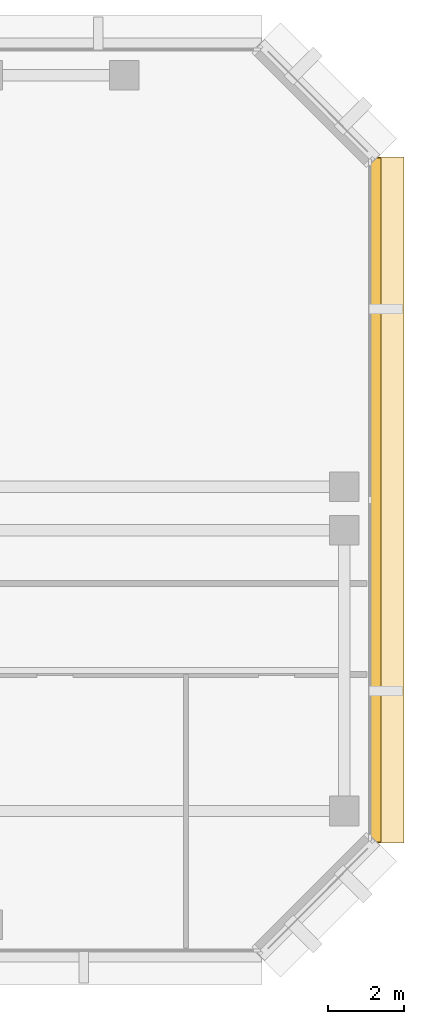
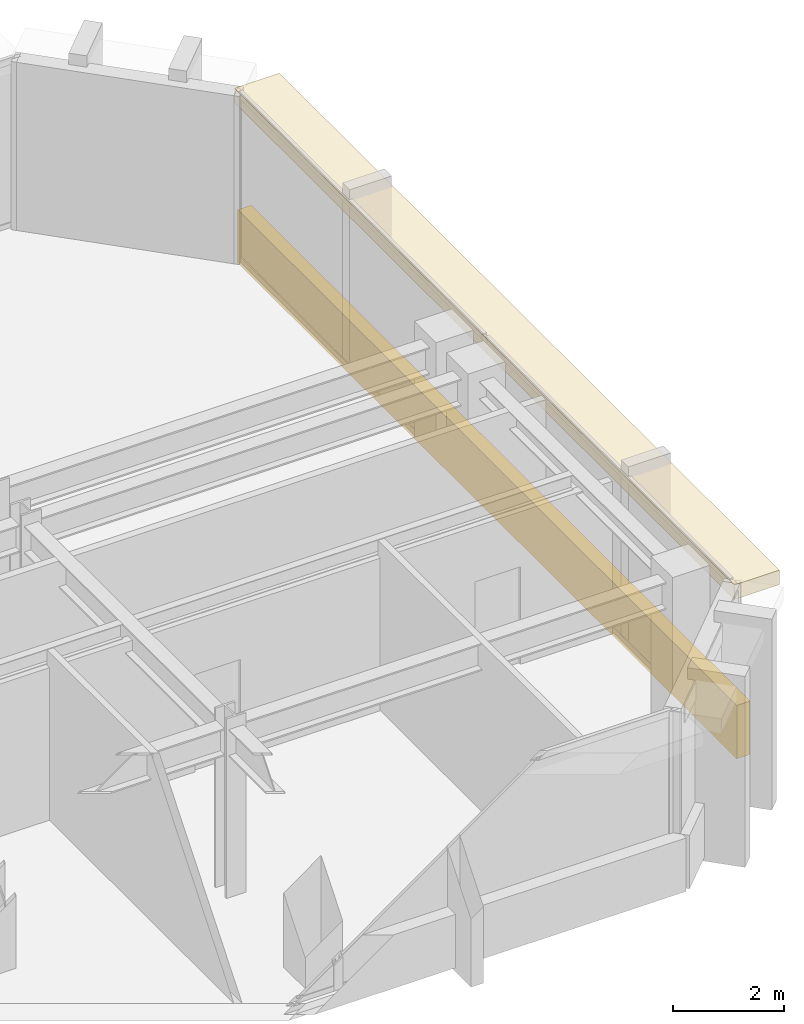
# One storey, part 10 of 12: 2 coverings.
"""IFC4 building model written with IfcOpenShell, lengths in metres."""

from ifc_helpers import new_model, si_unit, direction, frame, origin, origin_2d, place, context, subcontext, project, spatial, rectangle, extrude, material, layer, layer_set, type_object, element, save


model = new_model("IFC4")

# Units and contexts
model_context = context("Model", 3, precision=1e-05, world=origin(), true_north=direction((0.0, 1.0)))
body_context = subcontext(model_context, "Body", "Model", "MODEL_VIEW")
ifc_project = project(units=[si_unit("LENGTHUNIT", "METRE"), si_unit("AREAUNIT", "SQUARE_METRE"), si_unit("VOLUMEUNIT", "CUBIC_METRE"), si_unit("PLANEANGLEUNIT", "RADIAN"), si_unit("MASSUNIT", "GRAM", prefix="KILO")], contexts=[model_context])

# Site, building, storey
site_placement = place(None, origin())
site = spatial("IfcSite", under=ifc_project, at=site_placement, CompositionType="ELEMENT")
building_placement = place(site_placement, origin())
building = spatial("IfcBuilding", under=site, at=building_placement, Name="Kefirva Bronze Tower", CompositionType="ELEMENT")
storey_placement = place(building_placement, frame((0.0, 0.0, 195.360107421875)))
storey = spatial("IfcBuildingStorey", under=building, at=storey_placement, Name="L47", CompositionType="ELEMENT", Elevation=195.360107421875)

# Coverings
ifc_material = material(Name="Bronze anodised aluminium", Category="aluminium")
ifc_layer_1 = layer(ifc_material, 0.02001953125, Name="Bronze anodised aluminium")
ifc_layer_set_1 = layer_set([ifc_layer_1], Name="Bronze anodised aluminium")
covering_type_1 = type_object("IfcCoveringType", Name="Anodised Bronze Spandrel Cladding 20mm", PredefinedType="CLADDING", material=ifc_layer_set_1)
covering_1_placement = place(storey_placement, frame((50.239990234375, 34.0, -0.16015625), z_axis=(0.0, 0.0, 1.0), x_axis=(0.0, 1.0, 0.0)))
element("IfcCovering", 1, at=covering_1_placement, inside=storey, type_object=covering_type_1, Name="L47 Streamline Horizontal Spandrel Band 6", PredefinedType="CLADDING", context=body_context, shape_type="SweptSolid", body=[
    extrude(rectangle(XDim=18.0400390625, YDim=0.280029296875, at=origin_2d()), origin(), (0.0, 0.0, 1.0), 1.179931640625),
])
ifc_layer_2 = layer(ifc_material, 0.179931640625, Name="Bronze anodised aluminium")
ifc_layer_set_2 = layer_set([ifc_layer_2], Name="Bronze anodised aluminium")
covering_type_2 = type_object("IfcCoveringType", Name="Streamline Bronze Sunshade Eyebrow Cladding 180mm", PredefinedType="CLADDING", material=ifc_layer_set_2)
covering_2_placement = place(storey_placement, frame((50.510009765625, 34.0, 3.3896484375), z_axis=(0.0, 0.0, 1.0), x_axis=(0.0, 1.0, 0.0)))
element("IfcCovering", 2, at=covering_2_placement, inside=storey, type_object=covering_type_2, Name="L47 Streamline Bronze Sunshade Eyebrow 6", PredefinedType="CLADDING", context=body_context, shape_type="SweptSolid", body=[
    extrude(rectangle(XDim=18.080078125, YDim=0.93994140625, at=origin_2d()), origin(), (0.0, 0.0, 1.0), 0.320068359375),
])

save(model, "model.ifc")
